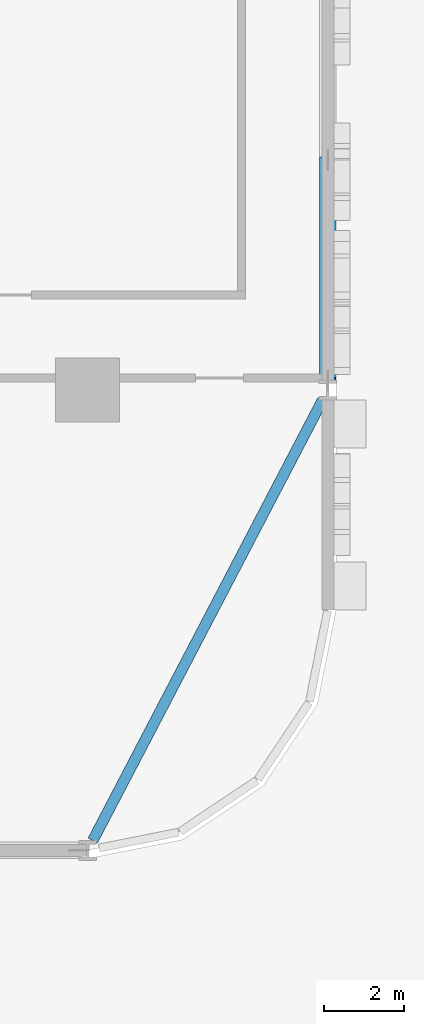
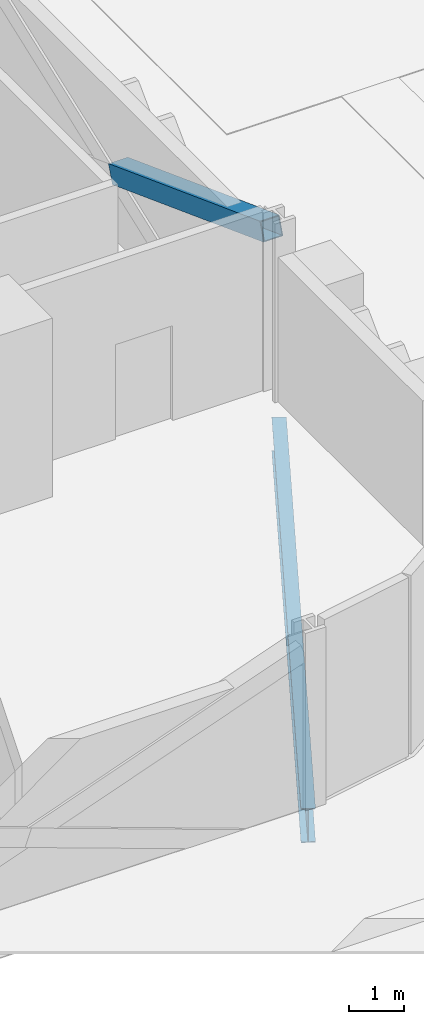
# One storey, part 7 of 39: 1 beam, 1 member.
"""IFC4 building model written with IfcOpenShell, lengths in metres."""

from ifc_helpers import new_model, si_unit, direction, frame, origin, origin_2d, place, context, subcontext, project, spatial, hollow_rectangle, i_section, extrude, material, material_profile, profile_set, type_object, element, save


model = new_model("IFC4")

# Units and contexts
model_context = context("Model", 3, precision=1e-05, world=origin(), true_north=direction((0.0, 1.0)))
body_context = subcontext(model_context, "Body", "Model", "MODEL_VIEW")
ifc_project = project(units=[si_unit("LENGTHUNIT", "METRE"), si_unit("AREAUNIT", "SQUARE_METRE"), si_unit("VOLUMEUNIT", "CUBIC_METRE"), si_unit("PLANEANGLEUNIT", "RADIAN"), si_unit("MASSUNIT", "GRAM", prefix="KILO")], contexts=[model_context])

# Site, building, storey
site_placement = place(None, origin())
site = spatial("IfcSite", under=ifc_project, at=site_placement, CompositionType="ELEMENT")
building_placement = place(site_placement, origin())
building = spatial("IfcBuilding", under=site, at=building_placement, Name="Mahtab Terrace Research Tower", CompositionType="ELEMENT")
storey_placement = place(building_placement, frame((0.0, 0.0, 7.199951171875)))
storey = spatial("IfcBuildingStorey", under=building, at=storey_placement, Name="L01", CompositionType="ELEMENT", Elevation=7.199951171875)

# Member
ifc_material_1 = material(Name="Steel ASTM A500 Gr C", Category="steel")
ifc_material_profile_1 = material_profile(ifc_material_1, hollow_rectangle(XDim=0.406494140625, YDim=0.406494140625, WallThickness=0.01904296875, at=origin_2d()), Name="HSS16X16X3/4")
ifc_profile_set_1 = profile_set([ifc_material_profile_1], Name="Steel ASTM A500 Gr C")
member_type = type_object("IfcMemberType", Name="HSS 16x16x3/4 brace XB161634", PredefinedType="BRACE", material=ifc_profile_set_1)
member_placement = place(storey_placement, frame((48.0, -5.75, 1.431640625), z_axis=(0.0, -0.936668691391, 0.350216736563), x_axis=(1.0, 0.0, 0.0)))
element("IfcMember", 1, at=member_placement, inside=storey, type_object=member_type, Name="Exoskeleton brace L01 20 b2", PredefinedType="BRACE", context=body_context, shape_type="SweptSolid", body=[
    extrude(hollow_rectangle(XDim=0.406494140625, YDim=0.406494140625, WallThickness=0.01904296875, at=origin_2d()), origin(), (0.0, 0.0, 1.0), 5.873291015625),
])

# Beam
ifc_material_2 = material(Name="Steel ASTM A992 Gr 50", Category="steel")
ifc_material_profile_2 = material_profile(ifc_material_2, i_section(OverallWidth=0.2666015625, OverallDepth=0.7568359375, WebThickness=0.013916015625, FlangeThickness=0.019287109375, at=origin_2d()), Name="W30X108")
ifc_profile_set_2 = profile_set([ifc_material_profile_2], Name="Steel ASTM A992 Gr 50")
beam_type = type_object("IfcBeamType", Name="W30x108 beam BS30108", PredefinedType="BEAM", material=ifc_profile_set_2)
beam_placement = place(storey_placement, frame((42.1298828125, -22.751220703125, -0.718505859375), z_axis=(0.462555249274, 0.88659045865, 0.0), x_axis=(-0.88659045865, 0.462555249274, 0.0)))
element("IfcBeam", 2, at=beam_placement, inside=storey, type_object=beam_type, Name="Spandrel beam L01 19", PredefinedType="BEAM", context=body_context, shape_type="SweptSolid", body=[
    extrude(i_section(OverallWidth=0.2666015625, OverallDepth=0.7568359375, WebThickness=0.013916015625, FlangeThickness=0.019287109375, at=origin_2d()), origin(), (0.0, 0.0, 1.0), 12.409912109375),
])

save(model, "model.ifc")
